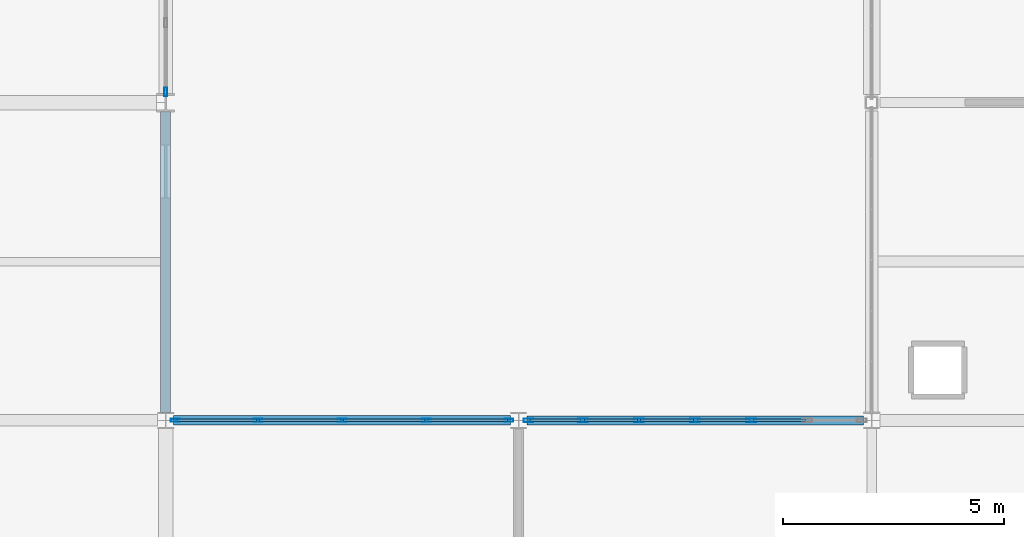
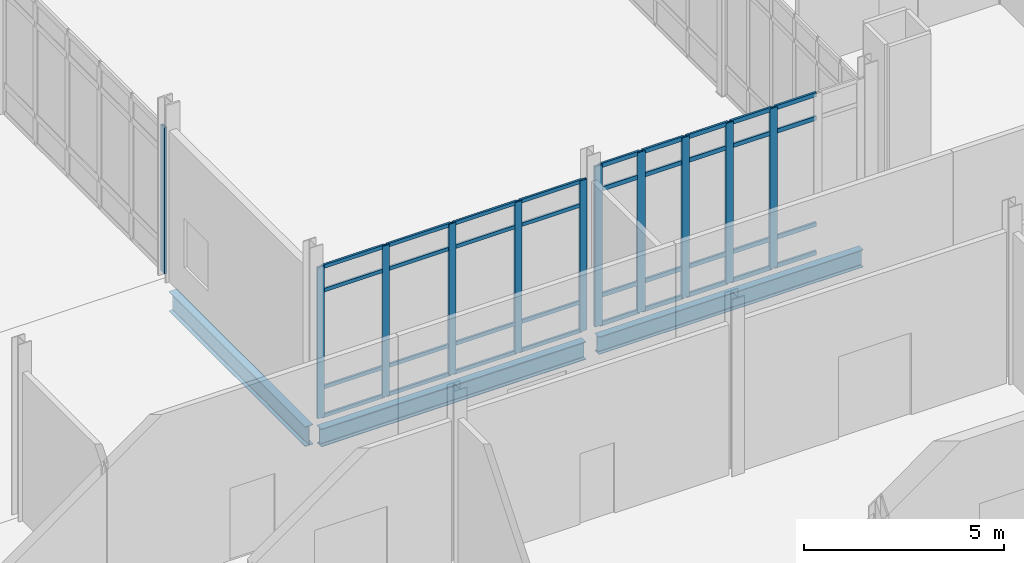
# One storey, part 43 of 229: 47 members, 3 beams, 3 elements without a shape of their own.
"""IFC4 building model written with IfcOpenShell, lengths in metres."""

import ifcopenshell
import ifcopenshell.guid

model = None  # the IFC model being written
_history = None  # IfcOwnerHistory: only IFC2X3 demands one
_inside = {}  # id of a spatial element -> (the spatial element, [elements in it])
_under = {}  # id of a project, library or spatial element -> (it, [spatial elements below it])
_declared = {}  # id of a project -> (the project, [libraries it declares])
_typed = {}  # id of a type object -> (the type object, [elements of that type])
_made_of = {}  # id of a material, layer set ... -> (it, [elements and type objects made of it])


def new_model(schema):
    """Start an empty IFC model of exactly this schema.

    Asked for "IFC4X3", IfcOpenShell would pick the latest addendum, in which some entities
    have other attributes; the version numbers below select the first issue.
    IFC2X3 requires an IfcOwnerHistory on every rooted entity: one is made here for all.
    """
    global model, _history
    if schema == "IFC4X3":
        model = ifcopenshell.file(schema_version=(4, 3, 0, 0))
    else:
        model = ifcopenshell.file(schema=schema)
    _inside.clear()
    _under.clear()
    _declared.clear()
    _typed.clear()
    _made_of.clear()
    _history = None
    if model.schema == "IFC2X3":
        org = make("IfcOrganization", Name="unknown")
        user = make(
            "IfcPersonAndOrganization",
            ThePerson=make("IfcPerson", FamilyName="unknown"),
            TheOrganization=org,
        )
        app = make(
            "IfcApplication",
            ApplicationDeveloper=org,
            Version="unknown",
            ApplicationFullName="unknown",
            ApplicationIdentifier="unknown",
        )
        _history = make(
            "IfcOwnerHistory",
            OwningUser=user,
            OwningApplication=app,
            ChangeAction="ADDED",
            CreationDate=0,
        )
    return model


def make(cls, **values):
    """One entity of the class cls with the attributes given. An attribute that is None is left unset."""
    return model.create_entity(
        cls, **{name: value for name, value in values.items() if value is not None}
    )


def rooted(cls, **values):
    """An entity with a GlobalId (a new one), such as an element, a storey or a relation."""
    return make(cls, GlobalId=ifcopenshell.guid.new(), OwnerHistory=_history, **values)


def si_unit(unit_type, name, prefix=None):
    """IfcSIUnit, for example si_unit("LENGTHUNIT", "METRE", prefix="MILLI")."""
    return make("IfcSIUnit", UnitType=unit_type, Prefix=prefix, Name=name)


def assignment(units):
    """IfcUnitAssignment: the units of a project."""
    return None if units is None else make("IfcUnitAssignment", Units=units)


def point(xyz):
    """IfcCartesianPoint."""
    return None if xyz is None else make("IfcCartesianPoint", Coordinates=xyz)


def direction(xyz):
    """IfcDirection."""
    return None if xyz is None else make("IfcDirection", DirectionRatios=xyz)


def frame(location, z_axis=None, x_axis=None):
    """IfcAxis2Placement3D, a coordinate frame: its origin and axes. An axis left out is left unset."""
    return make(
        "IfcAxis2Placement3D",
        Location=point(location),
        Axis=direction(z_axis),
        RefDirection=direction(x_axis),
    )


def frame_2d(location, x_axis=None):
    """IfcAxis2Placement2D, a coordinate frame in the plane: its origin and x axis."""
    return make(
        "IfcAxis2Placement2D", Location=point(location), RefDirection=direction(x_axis)
    )


def origin():
    """The frame at (0, 0, 0) with its axes left unset."""
    return frame((0.0, 0.0, 0.0))


def origin_2d():
    """The frame at (0, 0) in the plane with its x axis left unset."""
    return frame_2d((0.0, 0.0))


def place(relative_to, where):
    """IfcLocalPlacement: puts the frame where relative to a parent placement (None: the world)."""
    return make(
        "IfcLocalPlacement", PlacementRelTo=relative_to, RelativePlacement=where
    )


def context(
    kind, dimensions, precision=None, world=None, true_north=None, identifier=None
):
    """IfcGeometricRepresentationContext, for example the 3D "Model" context."""
    return make(
        "IfcGeometricRepresentationContext",
        ContextIdentifier=identifier,
        ContextType=kind,
        CoordinateSpaceDimension=dimensions,
        Precision=precision,
        WorldCoordinateSystem=world,
        TrueNorth=true_north,
    )


def subcontext(parent, identifier, kind, view, scale=None):
    """IfcGeometricRepresentationSubContext, for example "Body" below "Model"."""
    return make(
        "IfcGeometricRepresentationSubContext",
        ContextIdentifier=identifier,
        ContextType=kind,
        ParentContext=parent,
        TargetScale=scale,
        TargetView=view,
    )


def project(units=None, contexts=None):
    """IfcProject with its units and contexts."""
    return rooted(
        "IfcProject",
        Name="project",
        RepresentationContexts=contexts,
        UnitsInContext=assignment(units),
    )


def spatial(cls, under=None, at=None, **own):
    """A site, building, storey or space (cls), placed at a placement, below another one or the project."""
    s = rooted(cls, ObjectPlacement=at, **own)
    if under is not None:
        _under.setdefault(under.id(), (under, []))[1].append(s)
    return s


def profile(cls, at=None, kind="AREA", **sizes):
    """A parametric profile (cls). Its sizes go by their IFC names, for example OverallWidth=200.0."""
    return make(cls, ProfileType=kind, Position=at, **sizes)


def hollow_rectangle(**sizes):
    """IfcRectangleHollowProfileDef."""
    return profile("IfcRectangleHollowProfileDef", **sizes)


def i_section(**sizes):
    """IfcIShapeProfileDef."""
    return profile("IfcIShapeProfileDef", **sizes)


def extrude(swept, where, along, depth):
    """IfcExtrudedAreaSolid: the profile swept, set in the frame where, extruded along a direction by depth."""
    return make(
        "IfcExtrudedAreaSolid",
        SweptArea=swept,
        Position=where,
        ExtrudedDirection=direction(along),
        Depth=depth,
    )


def shape(context_of_items, identifier, shape_type, items):
    """IfcShapeRepresentation: the items that make up one representation, for example the "Body"."""
    return make(
        "IfcShapeRepresentation",
        ContextOfItems=context_of_items,
        RepresentationIdentifier=identifier,
        RepresentationType=shape_type,
        Items=items,
    )


def material(Name=None, Category=None):
    """IfcMaterial."""
    return make("IfcMaterial", Name=Name, Category=Category)


def layer(
    of_material, thickness, ventilated=None, Name=None, Category=None, Priority=None
):
    """IfcMaterialLayer: one layer of a wall or slab, of a material (None: an air gap)."""
    return make(
        "IfcMaterialLayer",
        Material=of_material,
        LayerThickness=thickness,
        IsVentilated=ventilated,
        Name=Name,
        Category=Category,
        Priority=Priority,
    )


def layer_set(layers, Name=None):
    """IfcMaterialLayerSet."""
    return make("IfcMaterialLayerSet", MaterialLayers=layers, LayerSetName=Name)


def material_profile(
    of_material, cross_section, Name=None, Category=None, Priority=None
):
    """IfcMaterialProfile: a cross section and its material."""
    return make(
        "IfcMaterialProfile",
        Name=Name,
        Material=of_material,
        Profile=cross_section,
        Priority=Priority,
        Category=Category,
    )


def profile_set(profiles, Name=None, composite=None):
    """IfcMaterialProfileSet."""
    return make(
        "IfcMaterialProfileSet",
        Name=Name,
        MaterialProfiles=profiles,
        CompositeProfile=composite,
    )


def made_of(thing, what):
    """Note that an element or type object is made of a material, layer set ...; save() writes the relation."""
    if what is not None:
        _made_of.setdefault(what.id(), (what, []))[1].append(thing)
    return thing


def type_object(cls, material=None, **own):
    """A type object (cls), such as IfcWallType, which elements share."""
    return made_of(rooted(cls, **own), material)


def element(
    cls,
    number,
    at=None,
    inside=None,
    cuts=None,
    type_object=None,
    material=None,
    context=None,
    identifier="Body",
    shape_type=None,
    held_by="IfcProductDefinitionShape",
    body=None,
    shapes=None,
    **own,
):
    """One element of the class cls, such as IfcWall. Its Tag is "e" and its number.

    at: its placement. inside: the storey or other place that contains it. cuts: it is an
    opening in that element (IfcRelVoidsElement). A single representation is given by context,
    identifier, shape_type and body (its items); several are given by shapes. held_by: the class
    of the entity that holds the representations. save() writes the other relations.
    """
    e = rooted(cls, Tag="e%d" % number, ObjectPlacement=at, **own)
    if body is not None:
        shapes = [shape(context, identifier, shape_type, body)]
    if shapes is not None:
        e.Representation = make(held_by, Representations=shapes)
    if inside is not None:
        _inside.setdefault(inside.id(), (inside, []))[1].append(e)
    if cuts is not None:
        rooted(
            "IfcRelVoidsElement", RelatingBuildingElement=cuts, RelatedOpeningElement=e
        )
    if type_object is not None:
        _typed.setdefault(type_object.id(), (type_object, []))[1].append(e)
    return made_of(e, material)


def aggregate(whole, parts):
    """IfcRelAggregates: a whole, such as a stair, and the parts it consists of."""
    return rooted("IfcRelAggregates", RelatingObject=whole, RelatedObjects=parts)


def save(model, path):
    """Write the relations noted so far, then the file.

    IfcRelAggregates (storeys below a building ...), IfcRelContainedInSpatialStructure (elements
    in a storey), IfcRelDefinesByType, IfcRelAssociatesMaterial and IfcRelDeclares: one each for
    every whole, place, type object, material and project.
    """
    for whole, parts in _under.values():
        aggregate(whole, parts)
    for where, things in _inside.values():
        rooted(
            "IfcRelContainedInSpatialStructure",
            RelatedElements=things,
            RelatingStructure=where,
        )
    for kind, things in _typed.values():
        rooted("IfcRelDefinesByType", RelatedObjects=things, RelatingType=kind)
    for what, things in _made_of.values():
        rooted("IfcRelAssociatesMaterial", RelatedObjects=things, RelatingMaterial=what)
    for by, libraries in _declared.values():
        rooted("IfcRelDeclares", RelatingContext=by, RelatedDefinitions=libraries)
    model.write(path)


model = new_model("IFC4")

# Units and contexts
model_context = context("Model", 3, precision=1e-05, world=origin(), true_north=direction((0.0, 1.0)))
body_context = subcontext(model_context, "Body", "Model", "MODEL_VIEW")
ifc_project = project(units=[si_unit("LENGTHUNIT", "METRE"), si_unit("AREAUNIT", "SQUARE_METRE"), si_unit("VOLUMEUNIT", "CUBIC_METRE"), si_unit("PLANEANGLEUNIT", "RADIAN"), si_unit("MASSUNIT", "GRAM", prefix="KILO")], contexts=[model_context])

# Site, building, storey
site_placement = place(None, origin())
site = spatial("IfcSite", under=ifc_project, at=site_placement, CompositionType="ELEMENT")
building_placement = place(site_placement, origin())
building = spatial("IfcBuilding", under=site, at=building_placement, Name="Calvrana Isthmian Art Gallery", CompositionType="ELEMENT")
storey_placement = place(building_placement, origin())
storey = spatial("IfcBuildingStorey", under=building, at=storey_placement, Name="L00", CompositionType="ELEMENT", Elevation=0.0)

# Beams
ifc_material_1 = material(Name="Steel ASTM A992 Gr 50", Category="steel")
ifc_material_profile_1 = material_profile(ifc_material_1, i_section(OverallWidth=0.208984375, OverallDepth=0.532958984375, WebThickness=0.01025390625, FlangeThickness=0.015625, FilletRadius=0.02099609375, at=origin_2d()), Name="W21X62")
ifc_profile_set_1 = profile_set([ifc_material_profile_1], Name="Steel ASTM A992 Gr 50")
beam_type_1 = type_object("IfcBeamType", Name="BM-G-W21X62", PredefinedType="BEAM", material=ifc_profile_set_1)
beam_1_placement = place(storey_placement, frame((88.58642578125, 14.39990234375, -0.551513671875), z_axis=(1.0, 0.0, 0.0), x_axis=(0.0, 1.0, 0.0)))
element("IfcBeam", 1, at=beam_1_placement, inside=storey, type_object=beam_type_1, Name="Girder X L00 12-13/C", PredefinedType="BEAM", context=body_context, shape_type="SweptSolid", body=[
    extrude(i_section(OverallWidth=0.208984375, OverallDepth=0.532958984375, WebThickness=0.01025390625, FlangeThickness=0.015625, FilletRadius=0.02099609375, at=origin_2d()), origin(), (0.0, 0.0, 1.0), 7.626953125),
])
ifc_material_profile_2 = material_profile(ifc_material_1, i_section(OverallWidth=0.214111328125, OverallDepth=0.549072265625, WebThickness=0.0146484375, FlangeThickness=0.023681640625, FilletRadius=0.02099609375, at=origin_2d()), Name="W21X93")
ifc_profile_set_2 = profile_set([ifc_material_profile_2], Name="Steel ASTM A992 Gr 50")
beam_type_2 = type_object("IfcBeamType", Name="BM-G-W21X93", PredefinedType="BEAM", material=ifc_profile_set_2)
beam_2_placement = place(storey_placement, frame((80.583984375, 14.39990234375, -0.5595703125), z_axis=(1.0, 0.0, 0.0), x_axis=(0.0, 1.0, 0.0)))
element("IfcBeam", 2, at=beam_2_placement, inside=storey, type_object=beam_type_2, Name="Girder X L00 11-12/C", PredefinedType="BEAM", context=body_context, shape_type="SweptSolid", body=[
    extrude(i_section(OverallWidth=0.214111328125, OverallDepth=0.549072265625, WebThickness=0.0146484375, FlangeThickness=0.023681640625, FilletRadius=0.02099609375, at=origin_2d()), origin(), (0.0, 0.0, 1.0), 7.62939453125),
])
ifc_material_profile_3 = material_profile(ifc_material_1, i_section(OverallWidth=0.22802734375, OverallDepth=0.60693359375, WebThickness=0.01123046875, FlangeThickness=0.017333984375, FilletRadius=0.02197265625, at=origin_2d()), Name="W24X76")
ifc_profile_set_3 = profile_set([ifc_material_profile_3], Name="Steel ASTM A992 Gr 50")
beam_type_3 = type_object("IfcBeamType", Name="BM-G-W24X76", PredefinedType="BEAM", material=ifc_profile_set_3)
beam_3_placement = place(storey_placement, frame((80.39990234375, 14.577880859375, -0.58837890625), z_axis=(0.0, 1.0, 0.0), x_axis=(-1.0, 0.0, 0.0)))
element("IfcBeam", 3, at=beam_3_placement, inside=storey, type_object=beam_type_3, Name="Girder Y L00 11/C-D", PredefinedType="BEAM", context=body_context, shape_type="SweptSolid", body=[
    extrude(i_section(OverallWidth=0.22802734375, OverallDepth=0.60693359375, WebThickness=0.01123046875, FlangeThickness=0.017333984375, FilletRadius=0.02197265625, at=origin_2d()), origin(), (0.0, 0.0, 1.0), 6.819091796875),
])

# Curtain wall, members
ifc_material_2 = material(Name="Anodized bronze aluminium 6063-T6", Category="aluminium")
ifc_layer_1 = layer(ifc_material_2, 0.179931640625, Name="Anodized bronze aluminium 6063-T6")
ifc_layer_set_1 = layer_set([ifc_layer_1], Name="Anodized bronze aluminium 6063-T6")
curtain_wall_type_1 = type_object("IfcCurtainWallType", Name="CW-UNIT-076X46", PredefinedType="USERDEFINED", material=ifc_layer_set_1)
curtain_wall_1_placement = place(storey_placement, origin())
curtain_wall_1 = element("IfcCurtainWall", 4, at=curtain_wall_1_placement, inside=storey, type_object=curtain_wall_type_1, Name="Curtain wall CW-015", ObjectType="UNITISED CURTAIN WALL", PredefinedType="USERDEFINED")
ifc_material_profile_4 = material_profile(ifc_material_2, hollow_rectangle(XDim=0.070068359375, YDim=0.199951171875, WallThickness=0.0048828125, at=origin_2d()), Name="CWM70X200")
ifc_profile_set_4 = profile_set([ifc_material_profile_4], Name="Anodized bronze aluminium 6063-T6")
member_type_1 = type_object("IfcMemberType", Name="CWM-CWM70X200", PredefinedType="MULLION", material=ifc_profile_set_4)
member_1_placement = place(storey_placement, frame((80.62060546875, 14.39990234375, 0.0), z_axis=(0.0, 0.0, 1.0), x_axis=(0.0, 1.0, 0.0)))
member_1 = element("IfcMember", 5, at=member_1_placement, type_object=member_type_1, Name="CW-015 mullion 1", PredefinedType="MULLION", context=body_context, shape_type="SweptSolid", body=[
    extrude(hollow_rectangle(XDim=0.070068359375, YDim=0.199951171875, WallThickness=0.0048828125, at=origin_2d()), origin(), (0.0, 0.0, 1.0), 4.60693359375),
])
member_2_placement = place(storey_placement, frame((82.4931640625, 14.39990234375, 0.0), z_axis=(0.0, 0.0, 1.0), x_axis=(0.0, 1.0, 0.0)))
member_2 = element("IfcMember", 6, at=member_2_placement, type_object=member_type_1, Name="CW-015 mullion 2", PredefinedType="MULLION", context=body_context, shape_type="SweptSolid", body=[
    extrude(hollow_rectangle(XDim=0.070068359375, YDim=0.199951171875, WallThickness=0.0048828125, at=origin_2d()), origin(), (0.0, 0.0, 1.0), 4.60693359375),
])
member_3_placement = place(storey_placement, frame((84.400634765625, 14.39990234375, 0.0), z_axis=(0.0, 0.0, 1.0), x_axis=(0.0, 1.0, 0.0)))
member_3 = element("IfcMember", 7, at=member_3_placement, type_object=member_type_1, Name="CW-015 mullion 3", PredefinedType="MULLION", context=body_context, shape_type="SweptSolid", body=[
    extrude(hollow_rectangle(XDim=0.070068359375, YDim=0.199951171875, WallThickness=0.0048828125, at=origin_2d()), origin(), (0.0, 0.0, 1.0), 4.60693359375),
])
member_4_placement = place(storey_placement, frame((86.308349609375, 14.39990234375, 0.0), z_axis=(0.0, 0.0, 1.0), x_axis=(0.0, 1.0, 0.0)))
member_4 = element("IfcMember", 8, at=member_4_placement, type_object=member_type_1, Name="CW-015 mullion 4", PredefinedType="MULLION", context=body_context, shape_type="SweptSolid", body=[
    extrude(hollow_rectangle(XDim=0.070068359375, YDim=0.199951171875, WallThickness=0.0048828125, at=origin_2d()), origin(), (0.0, 0.0, 1.0), 4.60693359375),
])
member_5_placement = place(storey_placement, frame((88.180908203125, 14.39990234375, 0.0), z_axis=(0.0, 0.0, 1.0), x_axis=(0.0, 1.0, 0.0)))
member_5 = element("IfcMember", 9, at=member_5_placement, type_object=member_type_1, Name="CW-015 mullion 5", PredefinedType="MULLION", context=body_context, shape_type="SweptSolid", body=[
    extrude(hollow_rectangle(XDim=0.070068359375, YDim=0.199951171875, WallThickness=0.0048828125, at=origin_2d()), origin(), (0.0, 0.0, 1.0), 4.60693359375),
])

# Curtain wall, member
ifc_layer_2 = layer(ifc_material_2, 0.179931640625, Name="Anodized bronze aluminium 6063-T6")
ifc_layer_set_2 = layer_set([ifc_layer_2], Name="Anodized bronze aluminium 6063-T6")
curtain_wall_type_2 = type_object("IfcCurtainWallType", Name="CW-UNIT-080X44", PredefinedType="USERDEFINED", material=ifc_layer_set_2)
curtain_wall_2_placement = place(storey_placement, origin())
curtain_wall_2 = element("IfcCurtainWall", 10, at=curtain_wall_2_placement, inside=storey, type_object=curtain_wall_type_2, Name="Curtain wall CW-069", ObjectType="UNITISED CURTAIN WALL", PredefinedType="USERDEFINED")
member_6_placement = place(storey_placement, frame((80.39990234375, 21.843505859375, 0.0), z_axis=(0.0, 0.0, 1.0), x_axis=(1.0, 0.0, 0.0)))
member_6 = element("IfcMember", 11, at=member_6_placement, type_object=member_type_1, Name="CW-069 mullion 6", PredefinedType="MULLION", context=body_context, shape_type="SweptSolid", body=[
    extrude(hollow_rectangle(XDim=0.070068359375, YDim=0.199951171875, WallThickness=0.0048828125, at=origin_2d()), origin(), (0.0, 0.0, 1.0), 4.447021484375),
])
aggregate(curtain_wall_2, [member_6])

# Curtain wall, members
ifc_layer_3 = layer(ifc_material_2, 0.179931640625, Name="Anodized bronze aluminium 6063-T6")
ifc_layer_set_3 = layer_set([ifc_layer_3], Name="Anodized bronze aluminium 6063-T6")
curtain_wall_type_3 = type_object("IfcCurtainWallType", Name="CW-STICK-076X49", PredefinedType="NOTDEFINED", material=ifc_layer_set_3)
curtain_wall_3_placement = place(storey_placement, origin())
curtain_wall_3 = element("IfcCurtainWall", 12, at=curtain_wall_3_placement, inside=storey, type_object=curtain_wall_type_3, Name="Curtain wall CW-016", PredefinedType="NOTDEFINED")
ifc_material_profile_5 = material_profile(ifc_material_2, hollow_rectangle(XDim=0.074951171875, YDim=0.219970703125, WallThickness=0.0048828125, at=origin_2d()), Name="CWM75X220")
ifc_profile_set_5 = profile_set([ifc_material_profile_5], Name="Anodized bronze aluminium 6063-T6")
member_type_2 = type_object("IfcMemberType", Name="CWM-CWM75X220", PredefinedType="MULLION", material=ifc_profile_set_5)
member_7_placement = place(storey_placement, frame((88.62158203125, 14.39990234375, 0.0), z_axis=(0.0, 0.0, 1.0), x_axis=(0.0, 1.0, 0.0)))
member_7 = element("IfcMember", 13, at=member_7_placement, type_object=member_type_2, Name="CW-016 mullion 1", PredefinedType="MULLION", context=body_context, shape_type="SweptSolid", body=[
    extrude(hollow_rectangle(XDim=0.074951171875, YDim=0.219970703125, WallThickness=0.0048828125, at=origin_2d()), origin(), (0.0, 0.0, 1.0), 4.885986328125),
])
member_8_placement = place(storey_placement, frame((89.85546875, 14.39990234375, 0.0), z_axis=(0.0, 0.0, 1.0), x_axis=(0.0, 1.0, 0.0)))
member_8 = element("IfcMember", 14, at=member_8_placement, type_object=member_type_2, Name="CW-016 mullion 2", PredefinedType="MULLION", context=body_context, shape_type="SweptSolid", body=[
    extrude(hollow_rectangle(XDim=0.074951171875, YDim=0.219970703125, WallThickness=0.0048828125, at=origin_2d()), origin(), (0.0, 0.0, 1.0), 4.885986328125),
])
member_9_placement = place(storey_placement, frame((91.127197265625, 14.39990234375, 0.0), z_axis=(0.0, 0.0, 1.0), x_axis=(0.0, 1.0, 0.0)))
member_9 = element("IfcMember", 15, at=member_9_placement, type_object=member_type_2, Name="CW-016 mullion 3", PredefinedType="MULLION", context=body_context, shape_type="SweptSolid", body=[
    extrude(hollow_rectangle(XDim=0.074951171875, YDim=0.219970703125, WallThickness=0.0048828125, at=origin_2d()), origin(), (0.0, 0.0, 1.0), 4.885986328125),
])
member_10_placement = place(storey_placement, frame((92.398681640625, 14.39990234375, 0.0), z_axis=(0.0, 0.0, 1.0), x_axis=(0.0, 1.0, 0.0)))
member_10 = element("IfcMember", 16, at=member_10_placement, type_object=member_type_2, Name="CW-016 mullion 4", PredefinedType="MULLION", context=body_context, shape_type="SweptSolid", body=[
    extrude(hollow_rectangle(XDim=0.074951171875, YDim=0.219970703125, WallThickness=0.0048828125, at=origin_2d()), origin(), (0.0, 0.0, 1.0), 4.885986328125),
])
member_11_placement = place(storey_placement, frame((93.67041015625, 14.39990234375, 0.0), z_axis=(0.0, 0.0, 1.0), x_axis=(0.0, 1.0, 0.0)))
member_11 = element("IfcMember", 17, at=member_11_placement, type_object=member_type_2, Name="CW-016 mullion 5", PredefinedType="MULLION", context=body_context, shape_type="SweptSolid", body=[
    extrude(hollow_rectangle(XDim=0.074951171875, YDim=0.219970703125, WallThickness=0.0048828125, at=origin_2d()), origin(), (0.0, 0.0, 1.0), 4.885986328125),
])

# Member
ifc_material_profile_6 = material_profile(ifc_material_2, hollow_rectangle(XDim=0.06005859375, YDim=0.110107421875, WallThickness=0.00341796875, at=origin_2d()), Name="CWT60X110")
ifc_profile_set_6 = profile_set([ifc_material_profile_6], Name="Anodized bronze aluminium 6063-T6")
member_type_3 = type_object("IfcMemberType", Name="CWT-CWT60X110", PredefinedType="USERDEFINED", material=ifc_profile_set_6)
member_12_placement = place(storey_placement, frame((80.655517578125, 14.39990234375, 0.030029296875), z_axis=(1.0, 0.0, 0.0), x_axis=(0.0, 1.0, 0.0)))
member_12 = element("IfcMember", 18, at=member_12_placement, type_object=member_type_3, Name="CW-015 transom 1.1", ObjectType="TRANSOM", PredefinedType="USERDEFINED", context=body_context, shape_type="SweptSolid", body=[
    extrude(hollow_rectangle(XDim=0.06005859375, YDim=0.110107421875, WallThickness=0.00341796875, at=origin_2d()), origin(), (0.0, 0.0, 1.0), 1.802490234375),
])

member_13_placement = place(storey_placement, frame((80.655517578125, 14.39990234375, 0.89990234375), z_axis=(1.0, 0.0, 0.0), x_axis=(0.0, 1.0, 0.0)))
member_13 = element("IfcMember", 19, at=member_13_placement, type_object=member_type_3, Name="CW-015 transom 1.2", ObjectType="TRANSOM", PredefinedType="USERDEFINED", context=body_context, shape_type="SweptSolid", body=[
    extrude(hollow_rectangle(XDim=0.06005859375, YDim=0.110107421875, WallThickness=0.00341796875, at=origin_2d()), origin(), (0.0, 0.0, 1.0), 1.802490234375),
])

member_14_placement = place(storey_placement, frame((80.655517578125, 14.39990234375, 3.85693359375), z_axis=(1.0, 0.0, 0.0), x_axis=(0.0, 1.0, 0.0)))
member_14 = element("IfcMember", 20, at=member_14_placement, type_object=member_type_3, Name="CW-015 transom 1.3", ObjectType="TRANSOM", PredefinedType="USERDEFINED", context=body_context, shape_type="SweptSolid", body=[
    extrude(hollow_rectangle(XDim=0.06005859375, YDim=0.110107421875, WallThickness=0.00341796875, at=origin_2d()), origin(), (0.0, 0.0, 1.0), 1.802490234375),
])

member_15_placement = place(storey_placement, frame((80.655517578125, 14.39990234375, 4.576904296875), z_axis=(1.0, 0.0, 0.0), x_axis=(0.0, 1.0, 0.0)))
member_15 = element("IfcMember", 21, at=member_15_placement, type_object=member_type_3, Name="CW-015 transom 1.4", ObjectType="TRANSOM", PredefinedType="USERDEFINED", context=body_context, shape_type="SweptSolid", body=[
    extrude(hollow_rectangle(XDim=0.06005859375, YDim=0.110107421875, WallThickness=0.00341796875, at=origin_2d()), origin(), (0.0, 0.0, 1.0), 1.802490234375),
])

member_16_placement = place(storey_placement, frame((82.528076171875, 14.39990234375, 0.030029296875), z_axis=(1.0, 0.0, 0.0), x_axis=(0.0, 1.0, 0.0)))
member_16 = element("IfcMember", 22, at=member_16_placement, type_object=member_type_3, Name="CW-015 transom 2.1", ObjectType="TRANSOM", PredefinedType="USERDEFINED", context=body_context, shape_type="SweptSolid", body=[
    extrude(hollow_rectangle(XDim=0.06005859375, YDim=0.110107421875, WallThickness=0.00341796875, at=origin_2d()), origin(), (0.0, 0.0, 1.0), 1.837646484375),
])

member_17_placement = place(storey_placement, frame((82.528076171875, 14.39990234375, 0.89990234375), z_axis=(1.0, 0.0, 0.0), x_axis=(0.0, 1.0, 0.0)))
member_17 = element("IfcMember", 23, at=member_17_placement, type_object=member_type_3, Name="CW-015 transom 2.2", ObjectType="TRANSOM", PredefinedType="USERDEFINED", context=body_context, shape_type="SweptSolid", body=[
    extrude(hollow_rectangle(XDim=0.06005859375, YDim=0.110107421875, WallThickness=0.00341796875, at=origin_2d()), origin(), (0.0, 0.0, 1.0), 1.837646484375),
])

member_18_placement = place(storey_placement, frame((82.528076171875, 14.39990234375, 3.85693359375), z_axis=(1.0, 0.0, 0.0), x_axis=(0.0, 1.0, 0.0)))
member_18 = element("IfcMember", 24, at=member_18_placement, type_object=member_type_3, Name="CW-015 transom 2.3", ObjectType="TRANSOM", PredefinedType="USERDEFINED", context=body_context, shape_type="SweptSolid", body=[
    extrude(hollow_rectangle(XDim=0.06005859375, YDim=0.110107421875, WallThickness=0.00341796875, at=origin_2d()), origin(), (0.0, 0.0, 1.0), 1.837646484375),
])

member_19_placement = place(storey_placement, frame((82.528076171875, 14.39990234375, 4.576904296875), z_axis=(1.0, 0.0, 0.0), x_axis=(0.0, 1.0, 0.0)))
member_19 = element("IfcMember", 25, at=member_19_placement, type_object=member_type_3, Name="CW-015 transom 2.4", ObjectType="TRANSOM", PredefinedType="USERDEFINED", context=body_context, shape_type="SweptSolid", body=[
    extrude(hollow_rectangle(XDim=0.06005859375, YDim=0.110107421875, WallThickness=0.00341796875, at=origin_2d()), origin(), (0.0, 0.0, 1.0), 1.837646484375),
])

member_20_placement = place(storey_placement, frame((84.435791015625, 14.39990234375, 0.030029296875), z_axis=(1.0, 0.0, 0.0), x_axis=(0.0, 1.0, 0.0)))
member_20 = element("IfcMember", 26, at=member_20_placement, type_object=member_type_3, Name="CW-015 transom 3.1", ObjectType="TRANSOM", PredefinedType="USERDEFINED", context=body_context, shape_type="SweptSolid", body=[
    extrude(hollow_rectangle(XDim=0.06005859375, YDim=0.110107421875, WallThickness=0.00341796875, at=origin_2d()), origin(), (0.0, 0.0, 1.0), 1.837646484375),
])

member_21_placement = place(storey_placement, frame((84.435791015625, 14.39990234375, 0.89990234375), z_axis=(1.0, 0.0, 0.0), x_axis=(0.0, 1.0, 0.0)))
member_21 = element("IfcMember", 27, at=member_21_placement, type_object=member_type_3, Name="CW-015 transom 3.2", ObjectType="TRANSOM", PredefinedType="USERDEFINED", context=body_context, shape_type="SweptSolid", body=[
    extrude(hollow_rectangle(XDim=0.06005859375, YDim=0.110107421875, WallThickness=0.00341796875, at=origin_2d()), origin(), (0.0, 0.0, 1.0), 1.837646484375),
])

member_22_placement = place(storey_placement, frame((84.435791015625, 14.39990234375, 3.85693359375), z_axis=(1.0, 0.0, 0.0), x_axis=(0.0, 1.0, 0.0)))
member_22 = element("IfcMember", 28, at=member_22_placement, type_object=member_type_3, Name="CW-015 transom 3.3", ObjectType="TRANSOM", PredefinedType="USERDEFINED", context=body_context, shape_type="SweptSolid", body=[
    extrude(hollow_rectangle(XDim=0.06005859375, YDim=0.110107421875, WallThickness=0.00341796875, at=origin_2d()), origin(), (0.0, 0.0, 1.0), 1.837646484375),
])

member_23_placement = place(storey_placement, frame((84.435791015625, 14.39990234375, 4.576904296875), z_axis=(1.0, 0.0, 0.0), x_axis=(0.0, 1.0, 0.0)))
member_23 = element("IfcMember", 29, at=member_23_placement, type_object=member_type_3, Name="CW-015 transom 3.4", ObjectType="TRANSOM", PredefinedType="USERDEFINED", context=body_context, shape_type="SweptSolid", body=[
    extrude(hollow_rectangle(XDim=0.06005859375, YDim=0.110107421875, WallThickness=0.00341796875, at=origin_2d()), origin(), (0.0, 0.0, 1.0), 1.837646484375),
])

member_24_placement = place(storey_placement, frame((86.34326171875, 14.39990234375, 0.030029296875), z_axis=(1.0, 0.0, 0.0), x_axis=(0.0, 1.0, 0.0)))
member_24 = element("IfcMember", 30, at=member_24_placement, type_object=member_type_3, Name="CW-015 transom 4.1", ObjectType="TRANSOM", PredefinedType="USERDEFINED", context=body_context, shape_type="SweptSolid", body=[
    extrude(hollow_rectangle(XDim=0.06005859375, YDim=0.110107421875, WallThickness=0.00341796875, at=origin_2d()), origin(), (0.0, 0.0, 1.0), 1.802734375),
])

member_25_placement = place(storey_placement, frame((86.34326171875, 14.39990234375, 0.89990234375), z_axis=(1.0, 0.0, 0.0), x_axis=(0.0, 1.0, 0.0)))
member_25 = element("IfcMember", 31, at=member_25_placement, type_object=member_type_3, Name="CW-015 transom 4.2", ObjectType="TRANSOM", PredefinedType="USERDEFINED", context=body_context, shape_type="SweptSolid", body=[
    extrude(hollow_rectangle(XDim=0.06005859375, YDim=0.110107421875, WallThickness=0.00341796875, at=origin_2d()), origin(), (0.0, 0.0, 1.0), 1.802734375),
])

member_26_placement = place(storey_placement, frame((86.34326171875, 14.39990234375, 3.85693359375), z_axis=(1.0, 0.0, 0.0), x_axis=(0.0, 1.0, 0.0)))
member_26 = element("IfcMember", 32, at=member_26_placement, type_object=member_type_3, Name="CW-015 transom 4.3", ObjectType="TRANSOM", PredefinedType="USERDEFINED", context=body_context, shape_type="SweptSolid", body=[
    extrude(hollow_rectangle(XDim=0.06005859375, YDim=0.110107421875, WallThickness=0.00341796875, at=origin_2d()), origin(), (0.0, 0.0, 1.0), 1.802734375),
])

member_27_placement = place(storey_placement, frame((86.34326171875, 14.39990234375, 4.576904296875), z_axis=(1.0, 0.0, 0.0), x_axis=(0.0, 1.0, 0.0)))
member_27 = element("IfcMember", 33, at=member_27_placement, type_object=member_type_3, Name="CW-015 transom 4.4", ObjectType="TRANSOM", PredefinedType="USERDEFINED", context=body_context, shape_type="SweptSolid", body=[
    extrude(hollow_rectangle(XDim=0.06005859375, YDim=0.110107421875, WallThickness=0.00341796875, at=origin_2d()), origin(), (0.0, 0.0, 1.0), 1.802734375),
])

aggregate(curtain_wall_1, [member_1, member_2, member_3, member_4, member_5, member_12, member_13, member_14, member_15, member_16, member_17, member_18, member_19, member_20, member_21, member_22, member_23, member_24, member_25, member_26, member_27])

ifc_material_profile_7 = material_profile(ifc_material_2, hollow_rectangle(XDim=0.06005859375, YDim=0.1298828125, WallThickness=0.00390625, at=origin_2d()), Name="CWT60X130")
ifc_profile_set_7 = profile_set([ifc_material_profile_7], Name="Anodized bronze aluminium 6063-T6")
member_type_4 = type_object("IfcMemberType", Name="CWT-CWT60X130", PredefinedType="USERDEFINED", material=ifc_profile_set_7)
member_28_placement = place(storey_placement, frame((88.658935546875, 14.39990234375, 0.030029296875), z_axis=(1.0, 0.0, 0.0), x_axis=(0.0, 1.0, 0.0)))
member_28 = element("IfcMember", 34, at=member_28_placement, type_object=member_type_4, Name="CW-016 transom 1.1", ObjectType="TRANSOM", PredefinedType="USERDEFINED", context=body_context, shape_type="SweptSolid", body=[
    extrude(hollow_rectangle(XDim=0.06005859375, YDim=0.1298828125, WallThickness=0.00390625, at=origin_2d()), origin(), (0.0, 0.0, 1.0), 1.1591796875),
])

member_29_placement = place(storey_placement, frame((88.658935546875, 14.39990234375, 0.89990234375), z_axis=(1.0, 0.0, 0.0), x_axis=(0.0, 1.0, 0.0)))
member_29 = element("IfcMember", 35, at=member_29_placement, type_object=member_type_4, Name="CW-016 transom 1.2", ObjectType="TRANSOM", PredefinedType="USERDEFINED", context=body_context, shape_type="SweptSolid", body=[
    extrude(hollow_rectangle(XDim=0.06005859375, YDim=0.1298828125, WallThickness=0.00390625, at=origin_2d()), origin(), (0.0, 0.0, 1.0), 1.1591796875),
])

member_30_placement = place(storey_placement, frame((88.658935546875, 14.39990234375, 4.135986328125), z_axis=(1.0, 0.0, 0.0), x_axis=(0.0, 1.0, 0.0)))
member_30 = element("IfcMember", 36, at=member_30_placement, type_object=member_type_4, Name="CW-016 transom 1.3", ObjectType="TRANSOM", PredefinedType="USERDEFINED", context=body_context, shape_type="SweptSolid", body=[
    extrude(hollow_rectangle(XDim=0.06005859375, YDim=0.1298828125, WallThickness=0.00390625, at=origin_2d()), origin(), (0.0, 0.0, 1.0), 1.1591796875),
])

member_31_placement = place(storey_placement, frame((88.658935546875, 14.39990234375, 4.85595703125), z_axis=(1.0, 0.0, 0.0), x_axis=(0.0, 1.0, 0.0)))
member_31 = element("IfcMember", 37, at=member_31_placement, type_object=member_type_4, Name="CW-016 transom 1.4", ObjectType="TRANSOM", PredefinedType="USERDEFINED", context=body_context, shape_type="SweptSolid", body=[
    extrude(hollow_rectangle(XDim=0.06005859375, YDim=0.1298828125, WallThickness=0.00390625, at=origin_2d()), origin(), (0.0, 0.0, 1.0), 1.1591796875),
])

member_32_placement = place(storey_placement, frame((89.89306640625, 14.39990234375, 0.030029296875), z_axis=(1.0, 0.0, 0.0), x_axis=(0.0, 1.0, 0.0)))
member_32 = element("IfcMember", 38, at=member_32_placement, type_object=member_type_4, Name="CW-016 transom 2.1", ObjectType="TRANSOM", PredefinedType="USERDEFINED", context=body_context, shape_type="SweptSolid", body=[
    extrude(hollow_rectangle(XDim=0.06005859375, YDim=0.1298828125, WallThickness=0.00390625, at=origin_2d()), origin(), (0.0, 0.0, 1.0), 1.196533203125),
])

member_33_placement = place(storey_placement, frame((89.89306640625, 14.39990234375, 0.89990234375), z_axis=(1.0, 0.0, 0.0), x_axis=(0.0, 1.0, 0.0)))
member_33 = element("IfcMember", 39, at=member_33_placement, type_object=member_type_4, Name="CW-016 transom 2.2", ObjectType="TRANSOM", PredefinedType="USERDEFINED", context=body_context, shape_type="SweptSolid", body=[
    extrude(hollow_rectangle(XDim=0.06005859375, YDim=0.1298828125, WallThickness=0.00390625, at=origin_2d()), origin(), (0.0, 0.0, 1.0), 1.196533203125),
])

member_34_placement = place(storey_placement, frame((89.89306640625, 14.39990234375, 4.135986328125), z_axis=(1.0, 0.0, 0.0), x_axis=(0.0, 1.0, 0.0)))
member_34 = element("IfcMember", 40, at=member_34_placement, type_object=member_type_4, Name="CW-016 transom 2.3", ObjectType="TRANSOM", PredefinedType="USERDEFINED", context=body_context, shape_type="SweptSolid", body=[
    extrude(hollow_rectangle(XDim=0.06005859375, YDim=0.1298828125, WallThickness=0.00390625, at=origin_2d()), origin(), (0.0, 0.0, 1.0), 1.196533203125),
])

member_35_placement = place(storey_placement, frame((89.89306640625, 14.39990234375, 4.85595703125), z_axis=(1.0, 0.0, 0.0), x_axis=(0.0, 1.0, 0.0)))
member_35 = element("IfcMember", 41, at=member_35_placement, type_object=member_type_4, Name="CW-016 transom 2.4", ObjectType="TRANSOM", PredefinedType="USERDEFINED", context=body_context, shape_type="SweptSolid", body=[
    extrude(hollow_rectangle(XDim=0.06005859375, YDim=0.1298828125, WallThickness=0.00390625, at=origin_2d()), origin(), (0.0, 0.0, 1.0), 1.196533203125),
])

member_36_placement = place(storey_placement, frame((91.16455078125, 14.39990234375, 0.030029296875), z_axis=(1.0, 0.0, 0.0), x_axis=(0.0, 1.0, 0.0)))
member_36 = element("IfcMember", 42, at=member_36_placement, type_object=member_type_4, Name="CW-016 transom 3.1", ObjectType="TRANSOM", PredefinedType="USERDEFINED", context=body_context, shape_type="SweptSolid", body=[
    extrude(hollow_rectangle(XDim=0.06005859375, YDim=0.1298828125, WallThickness=0.00390625, at=origin_2d()), origin(), (0.0, 0.0, 1.0), 1.19677734375),
])

member_37_placement = place(storey_placement, frame((91.16455078125, 14.39990234375, 0.89990234375), z_axis=(1.0, 0.0, 0.0), x_axis=(0.0, 1.0, 0.0)))
member_37 = element("IfcMember", 43, at=member_37_placement, type_object=member_type_4, Name="CW-016 transom 3.2", ObjectType="TRANSOM", PredefinedType="USERDEFINED", context=body_context, shape_type="SweptSolid", body=[
    extrude(hollow_rectangle(XDim=0.06005859375, YDim=0.1298828125, WallThickness=0.00390625, at=origin_2d()), origin(), (0.0, 0.0, 1.0), 1.19677734375),
])

member_38_placement = place(storey_placement, frame((91.16455078125, 14.39990234375, 4.135986328125), z_axis=(1.0, 0.0, 0.0), x_axis=(0.0, 1.0, 0.0)))
member_38 = element("IfcMember", 44, at=member_38_placement, type_object=member_type_4, Name="CW-016 transom 3.3", ObjectType="TRANSOM", PredefinedType="USERDEFINED", context=body_context, shape_type="SweptSolid", body=[
    extrude(hollow_rectangle(XDim=0.06005859375, YDim=0.1298828125, WallThickness=0.00390625, at=origin_2d()), origin(), (0.0, 0.0, 1.0), 1.19677734375),
])

member_39_placement = place(storey_placement, frame((91.16455078125, 14.39990234375, 4.85595703125), z_axis=(1.0, 0.0, 0.0), x_axis=(0.0, 1.0, 0.0)))
member_39 = element("IfcMember", 45, at=member_39_placement, type_object=member_type_4, Name="CW-016 transom 3.4", ObjectType="TRANSOM", PredefinedType="USERDEFINED", context=body_context, shape_type="SweptSolid", body=[
    extrude(hollow_rectangle(XDim=0.06005859375, YDim=0.1298828125, WallThickness=0.00390625, at=origin_2d()), origin(), (0.0, 0.0, 1.0), 1.19677734375),
])

member_40_placement = place(storey_placement, frame((92.436279296875, 14.39990234375, 0.030029296875), z_axis=(1.0, 0.0, 0.0), x_axis=(0.0, 1.0, 0.0)))
member_40 = element("IfcMember", 46, at=member_40_placement, type_object=member_type_4, Name="CW-016 transom 4.1", ObjectType="TRANSOM", PredefinedType="USERDEFINED", context=body_context, shape_type="SweptSolid", body=[
    extrude(hollow_rectangle(XDim=0.06005859375, YDim=0.1298828125, WallThickness=0.00390625, at=origin_2d()), origin(), (0.0, 0.0, 1.0), 1.196533203125),
])

member_41_placement = place(storey_placement, frame((92.436279296875, 14.39990234375, 0.89990234375), z_axis=(1.0, 0.0, 0.0), x_axis=(0.0, 1.0, 0.0)))
member_41 = element("IfcMember", 47, at=member_41_placement, type_object=member_type_4, Name="CW-016 transom 4.2", ObjectType="TRANSOM", PredefinedType="USERDEFINED", context=body_context, shape_type="SweptSolid", body=[
    extrude(hollow_rectangle(XDim=0.06005859375, YDim=0.1298828125, WallThickness=0.00390625, at=origin_2d()), origin(), (0.0, 0.0, 1.0), 1.196533203125),
])

member_42_placement = place(storey_placement, frame((92.436279296875, 14.39990234375, 4.135986328125), z_axis=(1.0, 0.0, 0.0), x_axis=(0.0, 1.0, 0.0)))
member_42 = element("IfcMember", 48, at=member_42_placement, type_object=member_type_4, Name="CW-016 transom 4.3", ObjectType="TRANSOM", PredefinedType="USERDEFINED", context=body_context, shape_type="SweptSolid", body=[
    extrude(hollow_rectangle(XDim=0.06005859375, YDim=0.1298828125, WallThickness=0.00390625, at=origin_2d()), origin(), (0.0, 0.0, 1.0), 1.196533203125),
])

member_43_placement = place(storey_placement, frame((92.436279296875, 14.39990234375, 4.85595703125), z_axis=(1.0, 0.0, 0.0), x_axis=(0.0, 1.0, 0.0)))
member_43 = element("IfcMember", 49, at=member_43_placement, type_object=member_type_4, Name="CW-016 transom 4.4", ObjectType="TRANSOM", PredefinedType="USERDEFINED", context=body_context, shape_type="SweptSolid", body=[
    extrude(hollow_rectangle(XDim=0.06005859375, YDim=0.1298828125, WallThickness=0.00390625, at=origin_2d()), origin(), (0.0, 0.0, 1.0), 1.196533203125),
])

member_44_placement = place(storey_placement, frame((93.707763671875, 14.39990234375, 0.030029296875), z_axis=(1.0, 0.0, 0.0), x_axis=(0.0, 1.0, 0.0)))
member_44 = element("IfcMember", 50, at=member_44_placement, type_object=member_type_4, Name="CW-016 transom 5.1", ObjectType="TRANSOM", PredefinedType="USERDEFINED", context=body_context, shape_type="SweptSolid", body=[
    extrude(hollow_rectangle(XDim=0.06005859375, YDim=0.1298828125, WallThickness=0.00390625, at=origin_2d()), origin(), (0.0, 0.0, 1.0), 1.196533203125),
])

member_45_placement = place(storey_placement, frame((93.707763671875, 14.39990234375, 0.89990234375), z_axis=(1.0, 0.0, 0.0), x_axis=(0.0, 1.0, 0.0)))
member_45 = element("IfcMember", 51, at=member_45_placement, type_object=member_type_4, Name="CW-016 transom 5.2", ObjectType="TRANSOM", PredefinedType="USERDEFINED", context=body_context, shape_type="SweptSolid", body=[
    extrude(hollow_rectangle(XDim=0.06005859375, YDim=0.1298828125, WallThickness=0.00390625, at=origin_2d()), origin(), (0.0, 0.0, 1.0), 1.196533203125),
])

member_46_placement = place(storey_placement, frame((93.707763671875, 14.39990234375, 4.135986328125), z_axis=(1.0, 0.0, 0.0), x_axis=(0.0, 1.0, 0.0)))
member_46 = element("IfcMember", 52, at=member_46_placement, type_object=member_type_4, Name="CW-016 transom 5.3", ObjectType="TRANSOM", PredefinedType="USERDEFINED", context=body_context, shape_type="SweptSolid", body=[
    extrude(hollow_rectangle(XDim=0.06005859375, YDim=0.1298828125, WallThickness=0.00390625, at=origin_2d()), origin(), (0.0, 0.0, 1.0), 1.196533203125),
])

member_47_placement = place(storey_placement, frame((93.707763671875, 14.39990234375, 4.85595703125), z_axis=(1.0, 0.0, 0.0), x_axis=(0.0, 1.0, 0.0)))
member_47 = element("IfcMember", 53, at=member_47_placement, type_object=member_type_4, Name="CW-016 transom 5.4", ObjectType="TRANSOM", PredefinedType="USERDEFINED", context=body_context, shape_type="SweptSolid", body=[
    extrude(hollow_rectangle(XDim=0.06005859375, YDim=0.1298828125, WallThickness=0.00390625, at=origin_2d()), origin(), (0.0, 0.0, 1.0), 1.196533203125),
])

aggregate(curtain_wall_3, [member_7, member_8, member_9, member_10, member_11, member_28, member_29, member_30, member_31, member_32, member_33, member_34, member_35, member_36, member_37, member_38, member_39, member_40, member_41, member_42, member_43, member_44, member_45, member_46, member_47])

save(model, "model.ifc")
